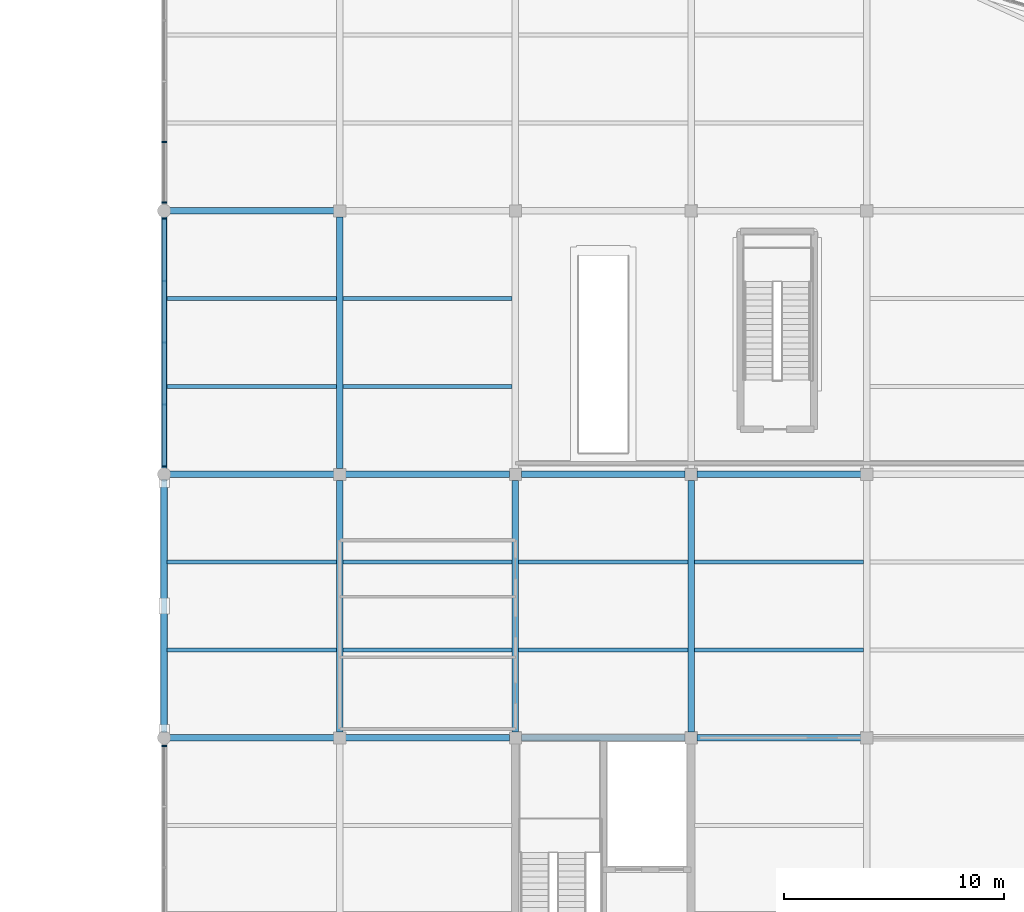
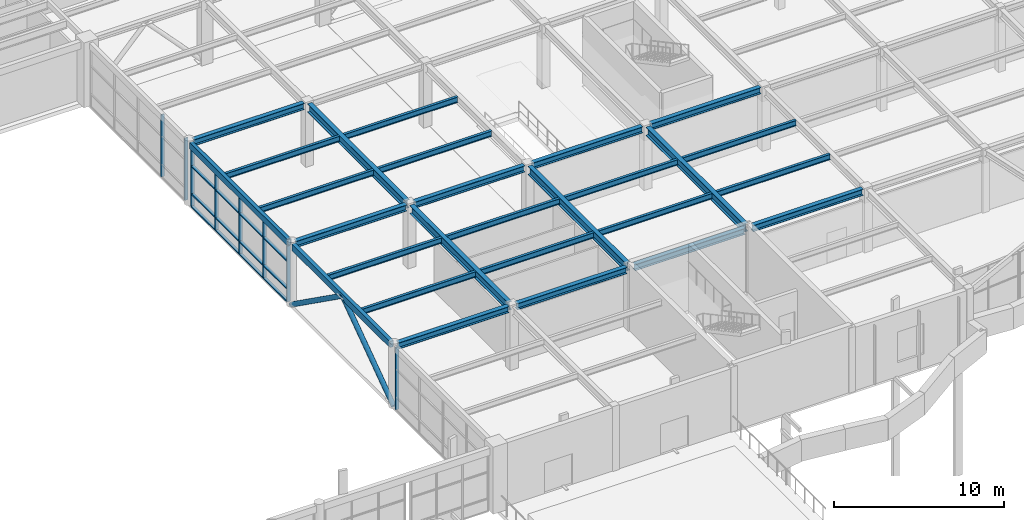
# One storey, part 25 of 63: 27 beams, 14 members, 3 elements without a shape of their own.
"""IFC4 building model written with IfcOpenShell, lengths in metres."""

from ifc_helpers import new_model, si_unit, direction, frame, origin, origin_2d, place, context, subcontext, project, spatial, rectangle, hollow_rectangle, hollow_circle, i_section, extrude, material, layer, layer_set, material_profile, profile_set, type_object, element, aggregate, save


model = new_model("IFC4")

# Units and contexts
model_context = context("Model", 3, precision=1e-05, world=origin(), true_north=direction((0.0, 1.0)))
body_context = subcontext(model_context, "Body", "Model", "MODEL_VIEW")
ifc_project = project(units=[si_unit("LENGTHUNIT", "METRE"), si_unit("AREAUNIT", "SQUARE_METRE"), si_unit("VOLUMEUNIT", "CUBIC_METRE"), si_unit("PLANEANGLEUNIT", "RADIAN"), si_unit("MASSUNIT", "GRAM", prefix="KILO")], contexts=[model_context])

# Site, building, storey
site_placement = place(None, origin())
site = spatial("IfcSite", under=ifc_project, at=site_placement, CompositionType="ELEMENT")
building_placement = place(site_placement, origin())
building = spatial("IfcBuilding", under=site, at=building_placement, Name="Keelwater Ferry Terminal", CompositionType="ELEMENT")
storey_placement = place(building_placement, frame((0.0, 0.0, 10.199951171875)))
storey = spatial("IfcBuildingStorey", under=building, at=storey_placement, Name="L02", CompositionType="ELEMENT", Elevation=10.199951171875)

# Members
ifc_material_1 = material(Name="Steel S355", Category="steel")
ifc_material_profile_1 = material_profile(ifc_material_1, hollow_circle(Radius=0.161865234375, WallThickness=0.012451171875, at=origin_2d()), Name="CHS 323.9x12.5")
ifc_profile_set_1 = profile_set([ifc_material_profile_1], Name="Steel S355")
member_type_1 = type_object("IfcMemberType", Name="BR1 CHS 323.9x12.5", PredefinedType="BRACE", material=ifc_profile_set_1)
for number, where, z_axis, x_axis, name in (
    (1, (132.0, 54.0, 0.0), (0.0, 0.814740243451, 0.579826125405), (-1.0, 0.0, 0.0), "Structural Member MB-L02-0559"),
    (2, (132.0, 66.0, 0.0), (0.0, -0.814740243451, 0.579826125405), (1.0, 0.0, 0.0), "Structural Member MB-L02-0560"),
):
    element("IfcMember", number, at=place(storey_placement, frame(where, z_axis=z_axis, x_axis=x_axis)), inside=storey, type_object=member_type_1, Name=name, PredefinedType="BRACE", context=body_context, shape_type="SweptSolid", body=[
        extrude(hollow_circle(Radius=0.161865234375, WallThickness=0.012451171875, at=origin_2d()), origin(), (0.0, 0.0, 1.0), 7.3642578125),
    ])

# Curtain wall, member
ifc_material_2 = material(Name="Thermally broken unitised aluminium and triple glass", Category="aluminium")
ifc_layer_1 = layer(ifc_material_2, 0.179931640625)
ifc_layer_set_1 = layer_set([ifc_layer_1], Name="Thermally broken unitised aluminium and triple glass")
curtain_wall_type_1 = type_object("IfcCurtainWallType", Name="CW-14 Unitised Curtain Wall 11050x4450", PredefinedType="USERDEFINED", material=ifc_layer_set_1)
curtain_wall_1_placement = place(storey_placement, origin())
curtain_wall_1 = element("IfcCurtainWall", 3, at=curtain_wall_1_placement, inside=storey, type_object=curtain_wall_type_1, Name="Unitised Curtain Wall CW-L02-074", ObjectType="UNITISED CURTAIN WALL", PredefinedType="USERDEFINED")
ifc_material_3 = material(Name="Aluminium mullion", Category="aluminium")
ifc_material_profile_2 = material_profile(ifc_material_3, rectangle(XDim=0.074951171875, YDim=0.219970703125, at=origin_2d()), Name="CWM-02")
ifc_profile_set_2 = profile_set([ifc_material_profile_2], Name="Aluminium mullion")
member_type_2 = type_object("IfcMemberType", Name="CWM-02 Curtain Mullion 75x220", PredefinedType="MULLION", material=ifc_profile_set_2)
member_1_placement = place(storey_placement, frame((132.0, 53.625, 0.0), z_axis=(0.0, 0.0, 1.0), x_axis=(0.0, 1.0, 0.0)))
member_1 = element("IfcMember", 4, at=member_1_placement, type_object=member_type_2, Name="CW-L02-074 Mullion 5", PredefinedType="MULLION", context=body_context, shape_type="SweptSolid", body=[
    extrude(rectangle(XDim=0.074951171875, YDim=0.219970703125, at=origin_2d()), origin(), (0.0, 0.0, 1.0), 4.449951171875),
])
aggregate(curtain_wall_1, [member_1])

# Curtain wall, members
ifc_material_4 = material(Name="Thermally broken unitised aluminium and triple glass", Category="aluminium")
ifc_layer_2 = layer(ifc_material_4, 0.179931640625)
ifc_layer_set_2 = layer_set([ifc_layer_2], Name="Thermally broken unitised aluminium and triple glass")
curtain_wall_type_2 = type_object("IfcCurtainWallType", Name="CW-15 Unitised Curtain Wall 11250x4450", PredefinedType="USERDEFINED", material=ifc_layer_set_2)
curtain_wall_2_placement = place(storey_placement, origin())
curtain_wall_2 = element("IfcCurtainWall", 5, at=curtain_wall_2_placement, inside=storey, type_object=curtain_wall_type_2, Name="Unitised Curtain Wall CW-L02-075", ObjectType="UNITISED CURTAIN WALL", PredefinedType="USERDEFINED")
member_2_placement = place(storey_placement, frame((132.0, 66.375, 0.0), z_axis=(0.0, 0.0, 1.0), x_axis=(0.0, 1.0, 0.0)))
member_2 = element("IfcMember", 6, at=member_2_placement, type_object=member_type_2, Name="CW-L02-075 Mullion 1", PredefinedType="MULLION", context=body_context, shape_type="SweptSolid", body=[
    extrude(rectangle(XDim=0.074951171875, YDim=0.219970703125, at=origin_2d()), origin(), (0.0, 0.0, 1.0), 4.449951171875),
])
member_3_placement = place(storey_placement, frame((132.0, 69.1875, 0.0), z_axis=(0.0, 0.0, 1.0), x_axis=(0.0, 1.0, 0.0)))
member_3 = element("IfcMember", 7, at=member_3_placement, type_object=member_type_2, Name="CW-L02-075 Mullion 2", PredefinedType="MULLION", context=body_context, shape_type="SweptSolid", body=[
    extrude(rectangle(XDim=0.074951171875, YDim=0.219970703125, at=origin_2d()), origin(), (0.0, 0.0, 1.0), 4.449951171875),
])
member_4_placement = place(storey_placement, frame((132.0, 72.0, 0.0), z_axis=(0.0, 0.0, 1.0), x_axis=(0.0, 1.0, 0.0)))
member_4 = element("IfcMember", 8, at=member_4_placement, type_object=member_type_2, Name="CW-L02-075 Mullion 3", PredefinedType="MULLION", context=body_context, shape_type="SweptSolid", body=[
    extrude(rectangle(XDim=0.074951171875, YDim=0.219970703125, at=origin_2d()), origin(), (0.0, 0.0, 1.0), 4.449951171875),
])
member_5_placement = place(storey_placement, frame((132.0, 74.8125, 0.0), z_axis=(0.0, 0.0, 1.0), x_axis=(0.0, 1.0, 0.0)))
member_5 = element("IfcMember", 9, at=member_5_placement, type_object=member_type_2, Name="CW-L02-075 Mullion 4", PredefinedType="MULLION", context=body_context, shape_type="SweptSolid", body=[
    extrude(rectangle(XDim=0.074951171875, YDim=0.219970703125, at=origin_2d()), origin(), (0.0, 0.0, 1.0), 4.449951171875),
])
member_6_placement = place(storey_placement, frame((132.0, 77.625, 0.0), z_axis=(0.0, 0.0, 1.0), x_axis=(0.0, 1.0, 0.0)))
member_6 = element("IfcMember", 10, at=member_6_placement, type_object=member_type_2, Name="CW-L02-075 Mullion 5", PredefinedType="MULLION", context=body_context, shape_type="SweptSolid", body=[
    extrude(rectangle(XDim=0.074951171875, YDim=0.219970703125, at=origin_2d()), origin(), (0.0, 0.0, 1.0), 4.449951171875),
])

curtain_wall_3_placement = place(storey_placement, origin())
curtain_wall_3 = element("IfcCurtainWall", 11, at=curtain_wall_3_placement, inside=storey, type_object=curtain_wall_type_1, Name="Unitised Curtain Wall CW-L02-076", ObjectType="UNITISED CURTAIN WALL", PredefinedType="USERDEFINED")
member_7_placement = place(storey_placement, frame((132.0, 78.375, 0.0), z_axis=(0.0, 0.0, 1.0), x_axis=(0.0, 1.0, 0.0)))
member_7 = element("IfcMember", 12, at=member_7_placement, type_object=member_type_2, Name="CW-L02-076 Mullion 1", PredefinedType="MULLION", context=body_context, shape_type="SweptSolid", body=[
    extrude(rectangle(XDim=0.074951171875, YDim=0.219970703125, at=origin_2d()), origin(), (0.0, 0.0, 1.0), 4.449951171875),
])
member_8_placement = place(storey_placement, frame((132.0, 81.137451171875, 0.0), z_axis=(0.0, 0.0, 1.0), x_axis=(0.0, 1.0, 0.0)))
member_8 = element("IfcMember", 13, at=member_8_placement, type_object=member_type_2, Name="CW-L02-076 Mullion 2", PredefinedType="MULLION", context=body_context, shape_type="SweptSolid", body=[
    extrude(rectangle(XDim=0.074951171875, YDim=0.219970703125, at=origin_2d()), origin(), (0.0, 0.0, 1.0), 4.449951171875),
])
aggregate(curtain_wall_3, [member_7, member_8])

# Member
ifc_material_5 = material(Name="Aluminium mullion", Category="aluminium")
ifc_material_profile_3 = material_profile(ifc_material_5, rectangle(XDim=0.199951171875, YDim=0.074951171875, at=origin_2d()), Name="CWT-02")
ifc_profile_set_3 = profile_set([ifc_material_profile_3], Name="Aluminium mullion")
member_type_3 = type_object("IfcMemberType", Name="CWT-02 Curtain Transom 75x200", PredefinedType="USERDEFINED", material=ifc_profile_set_3)
member_9_placement = place(storey_placement, frame((132.0, 66.375, 0.0), z_axis=(0.0, 1.0, 0.0), x_axis=(-1.0, 0.0, 0.0)))
member_9 = element("IfcMember", 14, at=member_9_placement, type_object=member_type_3, Name="CW-L02-075 Transom 1", ObjectType="TRANSOM", PredefinedType="USERDEFINED", context=body_context, shape_type="SweptSolid", body=[
    extrude(rectangle(XDim=0.199951171875, YDim=0.074951171875, at=origin_2d()), origin(), (0.0, 0.0, 1.0), 11.25),
])

member_10_placement = place(storey_placement, frame((132.0, 66.375, 0.900146484375), z_axis=(0.0, 1.0, 0.0), x_axis=(-1.0, 0.0, 0.0)))
member_10 = element("IfcMember", 15, at=member_10_placement, type_object=member_type_3, Name="CW-L02-075 Transom 2", ObjectType="TRANSOM", PredefinedType="USERDEFINED", context=body_context, shape_type="SweptSolid", body=[
    extrude(rectangle(XDim=0.199951171875, YDim=0.074951171875, at=origin_2d()), origin(), (0.0, 0.0, 1.0), 11.25),
])

member_11_placement = place(storey_placement, frame((132.0, 66.375, 2.900146484375), z_axis=(0.0, 1.0, 0.0), x_axis=(-1.0, 0.0, 0.0)))
member_11 = element("IfcMember", 16, at=member_11_placement, type_object=member_type_3, Name="CW-L02-075 Transom 3", ObjectType="TRANSOM", PredefinedType="USERDEFINED", context=body_context, shape_type="SweptSolid", body=[
    extrude(rectangle(XDim=0.199951171875, YDim=0.074951171875, at=origin_2d()), origin(), (0.0, 0.0, 1.0), 11.25),
])

member_12_placement = place(storey_placement, frame((132.0, 66.375, 4.449951171875), z_axis=(0.0, 1.0, 0.0), x_axis=(-1.0, 0.0, 0.0)))
member_12 = element("IfcMember", 17, at=member_12_placement, type_object=member_type_3, Name="CW-L02-075 Transom 4", ObjectType="TRANSOM", PredefinedType="USERDEFINED", context=body_context, shape_type="SweptSolid", body=[
    extrude(rectangle(XDim=0.199951171875, YDim=0.074951171875, at=origin_2d()), origin(), (0.0, 0.0, 1.0), 11.25),
])

aggregate(curtain_wall_2, [member_2, member_3, member_4, member_5, member_6, member_9, member_10, member_11, member_12])

# Beams
ifc_material_6 = material(Name="Steel S355", Category="steel")
ifc_material_profile_4 = material_profile(ifc_material_6, i_section(OverallWidth=0.300048828125, OverallDepth=0.60009765625, WebThickness=0.015380859375, FlangeThickness=0.030029296875, at=origin_2d()), Name="HEB 600")
ifc_profile_set_4 = profile_set([ifc_material_profile_4], Name="Steel S355")
beam_type_1 = type_object("IfcBeamType", Name="G3 HEB 600", PredefinedType="BEAM", material=ifc_profile_set_4)
for number, where, z_axis, x_axis, name in (
    (18, (140.0, 54.27001953125, 4.219970703125), (0.0, 1.0, 0.0), (-1.0, 0.0, 0.0), "Beam BM-L02-1109"),
    (19, (140.0, 66.27001953125, 4.219970703125), (0.0, 1.0, 0.0), (-1.0, 0.0, 0.0), "Beam BM-L02-1110"),
    (20, (156.0, 54.27001953125, 4.219970703125), (0.0, 1.0, 0.0), (-1.0, 0.0, 0.0), "Beam BM-L02-1123"),
):
    element("IfcBeam", number, at=place(storey_placement, frame(where, z_axis=z_axis, x_axis=x_axis)), inside=storey, type_object=beam_type_1, Name=name, PredefinedType="BEAM", context=body_context, shape_type="SweptSolid", body=[
        extrude(i_section(OverallWidth=0.300048828125, OverallDepth=0.60009765625, WebThickness=0.015380859375, FlangeThickness=0.030029296875, at=origin_2d()), origin(), (0.0, 0.0, 1.0), 11.4599609375),
    ])
ifc_material_7 = material(Name="Steel S355", Category="steel")
ifc_material_profile_5 = material_profile(ifc_material_7, i_section(OverallWidth=0.300048828125, OverallDepth=0.60009765625, WebThickness=0.015380859375, FlangeThickness=0.030029296875, at=origin_2d()), Name="HEB 600")
ifc_profile_set_5 = profile_set([ifc_material_profile_5], Name="Steel S355")
beam_type_2 = type_object("IfcBeamType", Name="G3E HEB 600", PredefinedType="BEAM", material=ifc_profile_set_5)
beam_1_placement = place(storey_placement, frame((148.0, 54.27001953125, 4.219970703125), z_axis=(0.0, 1.0, 0.0), x_axis=(-1.0, 0.0, 0.0)))
element("IfcBeam", 21, at=beam_1_placement, inside=storey, type_object=beam_type_2, Name="Beam BM-L02-1116", PredefinedType="BEAM", context=body_context, shape_type="SweptSolid", body=[
    extrude(i_section(OverallWidth=0.300048828125, OverallDepth=0.60009765625, WebThickness=0.015380859375, FlangeThickness=0.030029296875, at=origin_2d()), origin(), (0.0, 0.0, 1.0), 11.4599609375),
])
ifc_material_8 = material(Name="Steel S355", Category="steel")
ifc_material_profile_6 = material_profile(ifc_material_8, i_section(OverallWidth=0.300048828125, OverallDepth=0.449951171875, WebThickness=0.013916015625, FlangeThickness=0.02587890625, at=origin_2d()), Name="HEB 450")
ifc_profile_set_6 = profile_set([ifc_material_profile_6], Name="Steel S355")
beam_type_3 = type_object("IfcBeamType", Name="G6 HEB 450", PredefinedType="BEAM", material=ifc_profile_set_6)
beam_2_placement = place(storey_placement, frame((132.24609375, 54.0, 4.295166015625), z_axis=(1.0, 0.0, 0.0), x_axis=(0.0, 1.0, 0.0)))
element("IfcBeam", 22, at=beam_2_placement, inside=storey, type_object=beam_type_3, Name="Beam BM-L02-1001", PredefinedType="BEAM", context=body_context, shape_type="SweptSolid", body=[
    extrude(i_section(OverallWidth=0.300048828125, OverallDepth=0.449951171875, WebThickness=0.013916015625, FlangeThickness=0.02587890625, at=origin_2d()), origin(), (0.0, 0.0, 1.0), 7.48388671875),
])
for number, where, z_axis, x_axis, name in (
    (23, (140.27001953125, 54.0, 4.295166015625), (1.0, 0.0, 0.0), (0.0, 1.0, 0.0), "Beam BM-L02-1002"),
    (24, (148.27001953125, 54.0, 4.295166015625), (1.0, 0.0, 0.0), (0.0, 1.0, 0.0), "Beam BM-L02-1003"),
    (25, (156.27001953125, 54.0, 4.295166015625), (1.0, 0.0, 0.0), (0.0, 1.0, 0.0), "Beam BM-L02-1004"),
):
    element("IfcBeam", number, at=place(storey_placement, frame(where, z_axis=z_axis, x_axis=x_axis)), inside=storey, type_object=beam_type_3, Name=name, PredefinedType="BEAM", context=body_context, shape_type="SweptSolid", body=[
        extrude(i_section(OverallWidth=0.300048828125, OverallDepth=0.449951171875, WebThickness=0.013916015625, FlangeThickness=0.02587890625, at=origin_2d()), origin(), (0.0, 0.0, 1.0), 7.4599609375),
    ])
beam_3_placement = place(storey_placement, frame((132.24609375, 66.0, 4.295166015625), z_axis=(1.0, 0.0, 0.0), x_axis=(0.0, 1.0, 0.0)))
element("IfcBeam", 26, at=beam_3_placement, inside=storey, type_object=beam_type_3, Name="Beam BM-L02-1012", PredefinedType="BEAM", context=body_context, shape_type="SweptSolid", body=[
    extrude(i_section(OverallWidth=0.300048828125, OverallDepth=0.449951171875, WebThickness=0.013916015625, FlangeThickness=0.02587890625, at=origin_2d()), origin(), (0.0, 0.0, 1.0), 7.48388671875),
])
for number, where, z_axis, x_axis, name in (
    (27, (140.27001953125, 66.0, 4.295166015625), (1.0, 0.0, 0.0), (0.0, 1.0, 0.0), "Beam BM-L02-1013"),
    (28, (148.27001953125, 66.0, 4.295166015625), (1.0, 0.0, 0.0), (0.0, 1.0, 0.0), "Beam BM-L02-1014"),
    (29, (156.27001953125, 66.0, 4.295166015625), (1.0, 0.0, 0.0), (0.0, 1.0, 0.0), "Beam BM-L02-1015"),
):
    element("IfcBeam", number, at=place(storey_placement, frame(where, z_axis=z_axis, x_axis=x_axis)), inside=storey, type_object=beam_type_3, Name=name, PredefinedType="BEAM", context=body_context, shape_type="SweptSolid", body=[
        extrude(i_section(OverallWidth=0.300048828125, OverallDepth=0.449951171875, WebThickness=0.013916015625, FlangeThickness=0.02587890625, at=origin_2d()), origin(), (0.0, 0.0, 1.0), 7.4599609375),
    ])
beam_4_placement = place(storey_placement, frame((132.24609375, 78.0, 4.295166015625), z_axis=(1.0, 0.0, 0.0), x_axis=(0.0, 1.0, 0.0)))
element("IfcBeam", 30, at=beam_4_placement, inside=storey, type_object=beam_type_3, Name="Beam BM-L02-1023", PredefinedType="BEAM", context=body_context, shape_type="SweptSolid", body=[
    extrude(i_section(OverallWidth=0.300048828125, OverallDepth=0.449951171875, WebThickness=0.013916015625, FlangeThickness=0.02587890625, at=origin_2d()), origin(), (0.0, 0.0, 1.0), 7.48388671875),
])
ifc_material_9 = material(Name="Steel S355", Category="steel")
ifc_material_profile_7 = material_profile(ifc_material_9, i_section(OverallWidth=0.179931640625, OverallDepth=0.39990234375, WebThickness=0.008544921875, FlangeThickness=0.013427734375, at=origin_2d()), Name="IPE 400")
ifc_profile_set_7 = profile_set([ifc_material_profile_7], Name="Steel S355")
beam_type_4 = type_object("IfcBeamType", Name="J5 IPE 400", PredefinedType="JOIST", material=ifc_profile_set_7)
for number, where, z_axis, x_axis, name in (
    (31, (132.125, 58.0, 4.320068359375), (1.0, 0.0, 0.0), (0.0, 1.0, 0.0), "Beam BM-L02-1197"),
    (32, (132.125, 62.0, 4.320068359375), (1.0, 0.0, 0.0), (0.0, 1.0, 0.0), "Beam BM-L02-1198"),
    (33, (132.125, 70.0, 4.320068359375), (1.0, 0.0, 0.0), (0.0, 1.0, 0.0), "Beam BM-L02-1199"),
    (34, (132.125, 74.0, 4.320068359375), (1.0, 0.0, 0.0), (0.0, 1.0, 0.0), "Beam BM-L02-1200"),
):
    element("IfcBeam", number, at=place(storey_placement, frame(where, z_axis=z_axis, x_axis=x_axis)), inside=storey, type_object=beam_type_4, Name=name, PredefinedType="JOIST", context=body_context, shape_type="SweptSolid", body=[
        extrude(i_section(OverallWidth=0.179931640625, OverallDepth=0.39990234375, WebThickness=0.008544921875, FlangeThickness=0.013427734375, at=origin_2d()), origin(), (0.0, 0.0, 1.0), 7.72509765625),
    ])
for number, where, z_axis, x_axis, name in (
    (35, (140.14990234375, 58.0, 4.320068359375), (1.0, 0.0, 0.0), (0.0, 1.0, 0.0), "Beam BM-L02-1211"),
    (36, (140.14990234375, 62.0, 4.320068359375), (1.0, 0.0, 0.0), (0.0, 1.0, 0.0), "Beam BM-L02-1212"),
    (37, (140.14990234375, 70.0, 4.320068359375), (1.0, 0.0, 0.0), (0.0, 1.0, 0.0), "Beam BM-L02-1213"),
    (38, (140.14990234375, 74.0, 4.320068359375), (1.0, 0.0, 0.0), (0.0, 1.0, 0.0), "Beam BM-L02-1214"),
    (39, (148.14990234375, 58.0, 4.320068359375), (1.0, 0.0, 0.0), (0.0, 1.0, 0.0), "Beam BM-L02-1223"),
    (40, (148.14990234375, 62.0, 4.320068359375), (1.0, 0.0, 0.0), (0.0, 1.0, 0.0), "Beam BM-L02-1224"),
    (41, (156.14990234375, 58.0, 4.320068359375), (1.0, 0.0, 0.0), (0.0, 1.0, 0.0), "Beam BM-L02-1235"),
    (42, (156.14990234375, 62.0, 4.320068359375), (1.0, 0.0, 0.0), (0.0, 1.0, 0.0), "Beam BM-L02-1236"),
):
    element("IfcBeam", number, at=place(storey_placement, frame(where, z_axis=z_axis, x_axis=x_axis)), inside=storey, type_object=beam_type_4, Name=name, PredefinedType="JOIST", context=body_context, shape_type="SweptSolid", body=[
        extrude(i_section(OverallWidth=0.179931640625, OverallDepth=0.39990234375, WebThickness=0.008544921875, FlangeThickness=0.013427734375, at=origin_2d()), origin(), (0.0, 0.0, 1.0), 7.7001953125),
    ])
ifc_material_10 = material(Name="Steel S355", Category="steel")
ifc_material_profile_8 = material_profile(ifc_material_10, hollow_rectangle(XDim=0.25, YDim=0.449951171875, WallThickness=0.01611328125, at=origin_2d()), Name="RHS 450x250x16")
ifc_profile_set_8 = profile_set([ifc_material_profile_8], Name="Steel S355")
beam_type_5 = type_object("IfcBeamType", Name="RB2E RHS 450x250x16", PredefinedType="SPANDREL", material=ifc_profile_set_8)
for number, where, z_axis, x_axis, name in (
    (43, (132.0, 54.24609375, 4.295166015625), (0.0, 1.0, 0.0), (-1.0, 0.0, 0.0), "Beam BM-L02-1101"),
    (44, (132.0, 66.24609375, 4.295166015625), (0.0, 1.0, 0.0), (-1.0, 0.0, 0.0), "Beam BM-L02-1102"),
):
    element("IfcBeam", number, at=place(storey_placement, frame(where, z_axis=z_axis, x_axis=x_axis)), inside=storey, type_object=beam_type_5, Name=name, PredefinedType="SPANDREL", context=body_context, shape_type="SweptSolid", body=[
        extrude(hollow_rectangle(XDim=0.25, YDim=0.449951171875, WallThickness=0.01611328125, at=origin_2d()), origin(), (0.0, 0.0, 1.0), 11.5078125),
    ])

save(model, "model.ifc")
